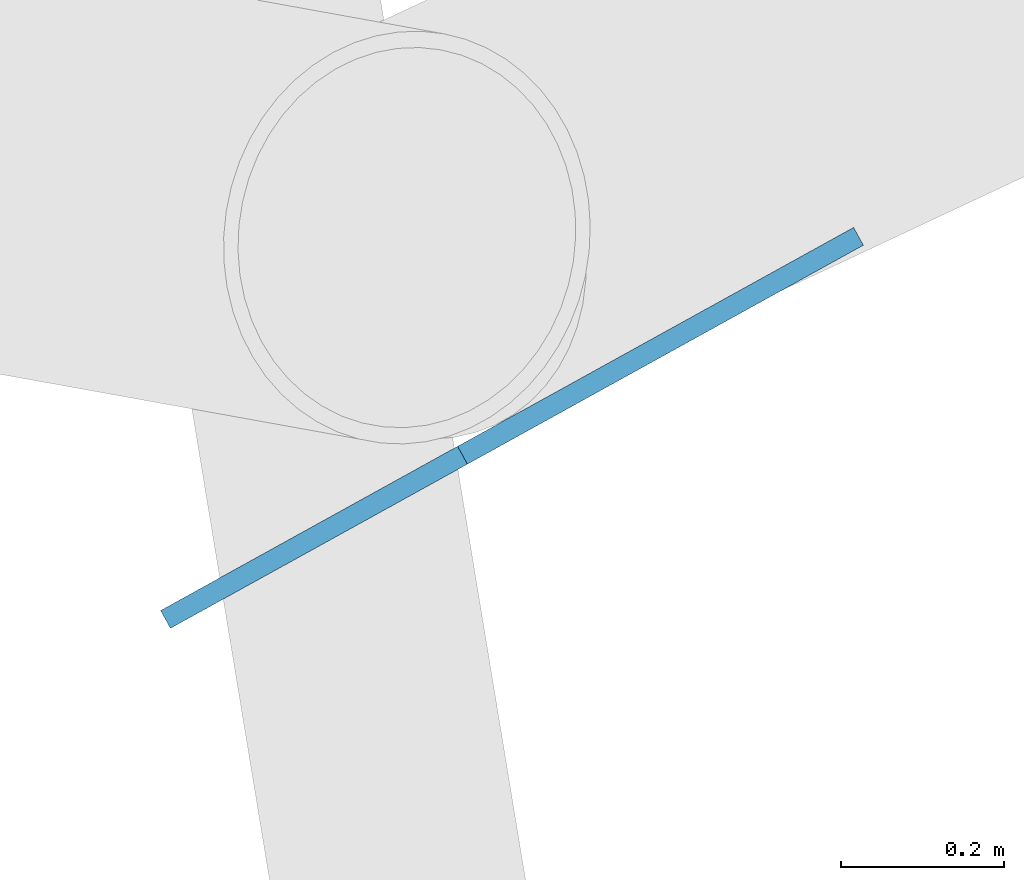
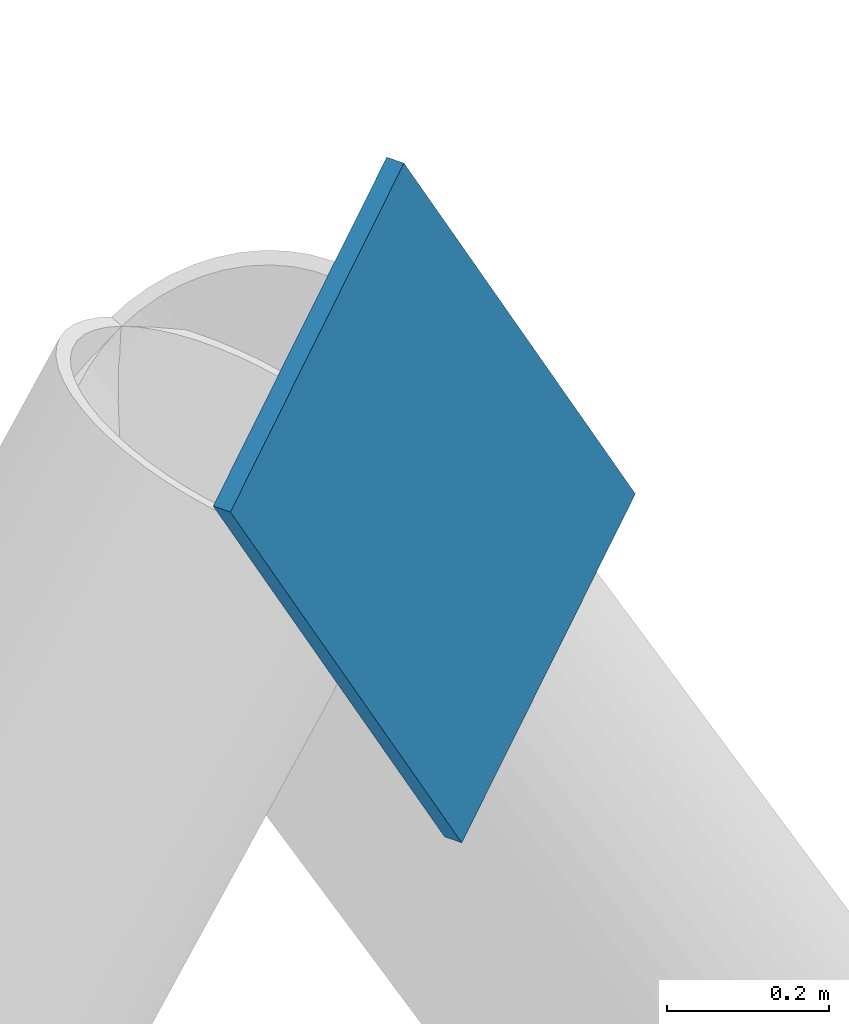
# One storey, part 9 of 23: 1 discrete accessory.
"""IFC4 building model written with IfcOpenShell, lengths in metres."""

from ifc_helpers import new_model, si_unit, direction, frame, origin, origin_2d, place, context, subcontext, project, spatial, rectangle, extrude, material, material_profile, profile_set, type_object, element, save


model = new_model("IFC4")

# Units and contexts
model_context = context("Model", 3, precision=1e-05, world=origin(), true_north=direction((0.0, 1.0)))
body_context = subcontext(model_context, "Body", "Model", "MODEL_VIEW")
ifc_project = project(units=[si_unit("LENGTHUNIT", "METRE"), si_unit("AREAUNIT", "SQUARE_METRE"), si_unit("VOLUMEUNIT", "CUBIC_METRE"), si_unit("PLANEANGLEUNIT", "RADIAN"), si_unit("MASSUNIT", "GRAM", prefix="KILO")], contexts=[model_context])

# Site, building, storey
site_placement = place(None, origin())
site = spatial("IfcSite", under=ifc_project, at=site_placement, CompositionType="ELEMENT")
building_placement = place(site_placement, origin())
building = spatial("IfcBuilding", under=site, at=building_placement, Name="Tarsis Ring Headquarters", CompositionType="ELEMENT")
storey_placement = place(building_placement, frame((0.0, 0.0, 323.60009765625)))
storey = spatial("IfcBuildingStorey", under=building, at=storey_placement, Name="L76", CompositionType="ELEMENT", Elevation=323.60009765625)

# Discrete accessory
ifc_material = material(Name="Structural steel S355", Category="steel")
ifc_material_profile = material_profile(ifc_material, rectangle(XDim=0.02490234375, YDim=0.5, at=origin_2d()), Name="PL 25x500")
ifc_profile_set = profile_set([ifc_material_profile], Name="Structural steel S355")
discrete_accessory_type = type_object("IfcDiscreteAccessoryType", Name="Gusset plate Exo brace 25", PredefinedType="BRACKET", material=ifc_profile_set)
discrete_accessory_placement = place(storey_placement, frame((-40.15087890625, 6.80078125, 7.3837890625), z_axis=(-0.485392169738, -0.268332995243, 0.832100862408), x_axis=(0.483810351479, -0.875172865097, 0.0)))
element("IfcDiscreteAccessory", 1, at=discrete_accessory_placement, inside=storey, type_object=discrete_accessory_type, Name="Gusset plate GP5", PredefinedType="BRACKET", context=body_context, shape_type="SweptSolid", body=[
    extrude(rectangle(XDim=0.02490234375, YDim=0.5, at=origin_2d()), origin(), (0.0, 0.0, 1.0), 1.0),
])

save(model, "model.ifc")
